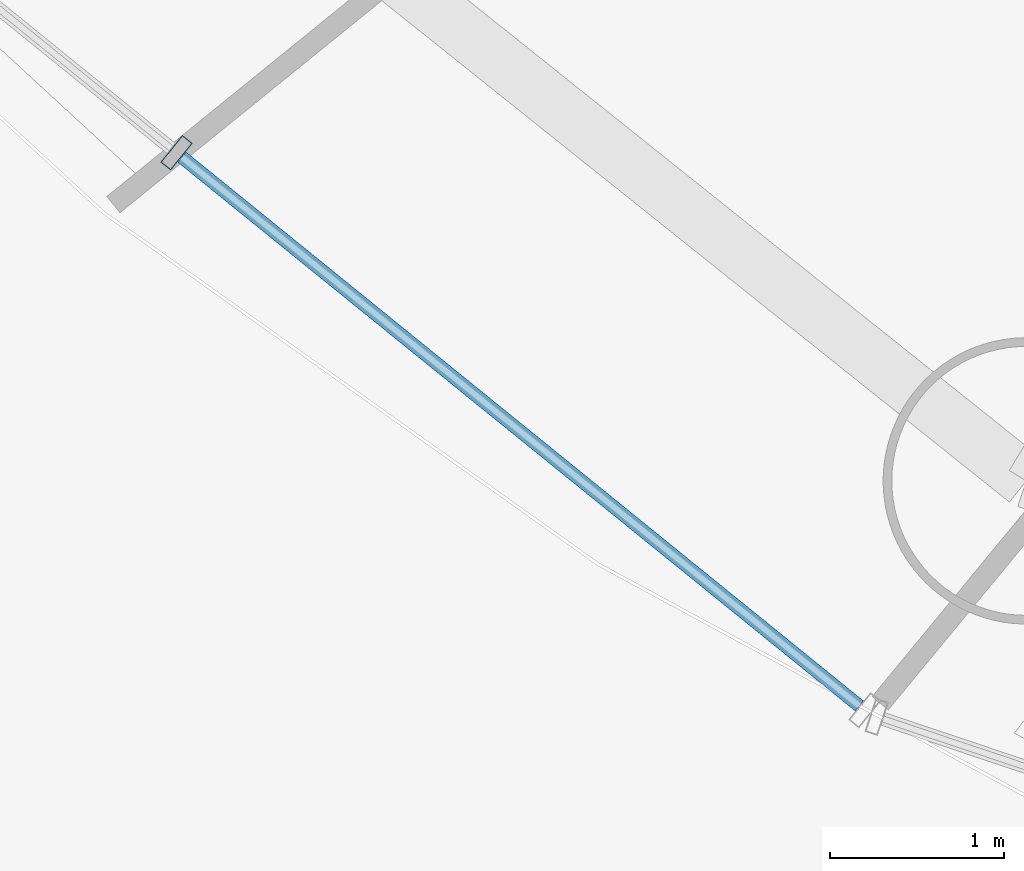
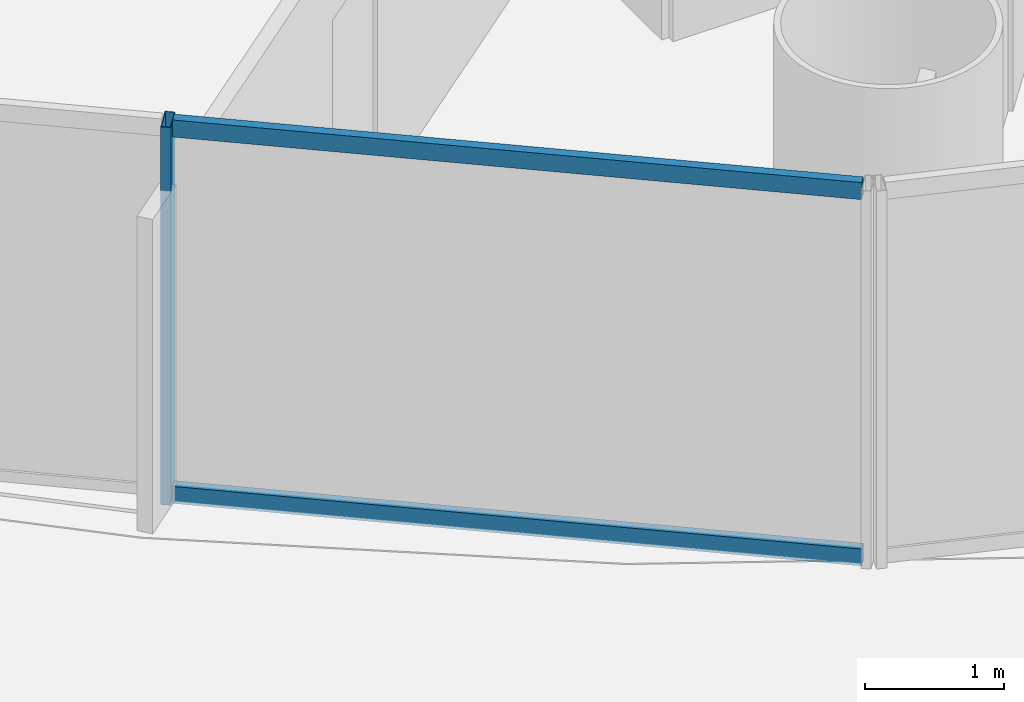
# One storey, part 2 of 37: 3 members, 1 element without a shape of its own.
"""IFC4 building model written with IfcOpenShell, lengths in metres."""

import ifcopenshell
import ifcopenshell.guid

model = None  # the IFC model being written
_history = None  # IfcOwnerHistory: only IFC2X3 demands one
_inside = {}  # id of a spatial element -> (the spatial element, [elements in it])
_under = {}  # id of a project, library or spatial element -> (it, [spatial elements below it])
_declared = {}  # id of a project -> (the project, [libraries it declares])
_typed = {}  # id of a type object -> (the type object, [elements of that type])
_made_of = {}  # id of a material, layer set ... -> (it, [elements and type objects made of it])


def new_model(schema):
    """Start an empty IFC model of exactly this schema.

    Asked for "IFC4X3", IfcOpenShell would pick the latest addendum, in which some entities
    have other attributes; the version numbers below select the first issue.
    IFC2X3 requires an IfcOwnerHistory on every rooted entity: one is made here for all.
    """
    global model, _history
    if schema == "IFC4X3":
        model = ifcopenshell.file(schema_version=(4, 3, 0, 0))
    else:
        model = ifcopenshell.file(schema=schema)
    _inside.clear()
    _under.clear()
    _declared.clear()
    _typed.clear()
    _made_of.clear()
    _history = None
    if model.schema == "IFC2X3":
        org = make("IfcOrganization", Name="unknown")
        user = make(
            "IfcPersonAndOrganization",
            ThePerson=make("IfcPerson", FamilyName="unknown"),
            TheOrganization=org,
        )
        app = make(
            "IfcApplication",
            ApplicationDeveloper=org,
            Version="unknown",
            ApplicationFullName="unknown",
            ApplicationIdentifier="unknown",
        )
        _history = make(
            "IfcOwnerHistory",
            OwningUser=user,
            OwningApplication=app,
            ChangeAction="ADDED",
            CreationDate=0,
        )
    return model


def make(cls, **values):
    """One entity of the class cls with the attributes given. An attribute that is None is left unset."""
    return model.create_entity(
        cls, **{name: value for name, value in values.items() if value is not None}
    )


def rooted(cls, **values):
    """An entity with a GlobalId (a new one), such as an element, a storey or a relation."""
    return make(cls, GlobalId=ifcopenshell.guid.new(), OwnerHistory=_history, **values)


def si_unit(unit_type, name, prefix=None):
    """IfcSIUnit, for example si_unit("LENGTHUNIT", "METRE", prefix="MILLI")."""
    return make("IfcSIUnit", UnitType=unit_type, Prefix=prefix, Name=name)


def assignment(units):
    """IfcUnitAssignment: the units of a project."""
    return None if units is None else make("IfcUnitAssignment", Units=units)


def point(xyz):
    """IfcCartesianPoint."""
    return None if xyz is None else make("IfcCartesianPoint", Coordinates=xyz)


def direction(xyz):
    """IfcDirection."""
    return None if xyz is None else make("IfcDirection", DirectionRatios=xyz)


def frame(location, z_axis=None, x_axis=None):
    """IfcAxis2Placement3D, a coordinate frame: its origin and axes. An axis left out is left unset."""
    return make(
        "IfcAxis2Placement3D",
        Location=point(location),
        Axis=direction(z_axis),
        RefDirection=direction(x_axis),
    )


def frame_2d(location, x_axis=None):
    """IfcAxis2Placement2D, a coordinate frame in the plane: its origin and x axis."""
    return make(
        "IfcAxis2Placement2D", Location=point(location), RefDirection=direction(x_axis)
    )


def origin():
    """The frame at (0, 0, 0) with its axes left unset."""
    return frame((0.0, 0.0, 0.0))


def origin_2d():
    """The frame at (0, 0) in the plane with its x axis left unset."""
    return frame_2d((0.0, 0.0))


def place(relative_to, where):
    """IfcLocalPlacement: puts the frame where relative to a parent placement (None: the world)."""
    return make(
        "IfcLocalPlacement", PlacementRelTo=relative_to, RelativePlacement=where
    )


def context(
    kind, dimensions, precision=None, world=None, true_north=None, identifier=None
):
    """IfcGeometricRepresentationContext, for example the 3D "Model" context."""
    return make(
        "IfcGeometricRepresentationContext",
        ContextIdentifier=identifier,
        ContextType=kind,
        CoordinateSpaceDimension=dimensions,
        Precision=precision,
        WorldCoordinateSystem=world,
        TrueNorth=true_north,
    )


def subcontext(parent, identifier, kind, view, scale=None):
    """IfcGeometricRepresentationSubContext, for example "Body" below "Model"."""
    return make(
        "IfcGeometricRepresentationSubContext",
        ContextIdentifier=identifier,
        ContextType=kind,
        ParentContext=parent,
        TargetScale=scale,
        TargetView=view,
    )


def project(units=None, contexts=None):
    """IfcProject with its units and contexts."""
    return rooted(
        "IfcProject",
        Name="project",
        RepresentationContexts=contexts,
        UnitsInContext=assignment(units),
    )


def spatial(cls, under=None, at=None, **own):
    """A site, building, storey or space (cls), placed at a placement, below another one or the project."""
    s = rooted(cls, ObjectPlacement=at, **own)
    if under is not None:
        _under.setdefault(under.id(), (under, []))[1].append(s)
    return s


def profile(cls, at=None, kind="AREA", **sizes):
    """A parametric profile (cls). Its sizes go by their IFC names, for example OverallWidth=200.0."""
    return make(cls, ProfileType=kind, Position=at, **sizes)


def hollow_rectangle(**sizes):
    """IfcRectangleHollowProfileDef."""
    return profile("IfcRectangleHollowProfileDef", **sizes)


def extrude(swept, where, along, depth):
    """IfcExtrudedAreaSolid: the profile swept, set in the frame where, extruded along a direction by depth."""
    return make(
        "IfcExtrudedAreaSolid",
        SweptArea=swept,
        Position=where,
        ExtrudedDirection=direction(along),
        Depth=depth,
    )


def shape(context_of_items, identifier, shape_type, items):
    """IfcShapeRepresentation: the items that make up one representation, for example the "Body"."""
    return make(
        "IfcShapeRepresentation",
        ContextOfItems=context_of_items,
        RepresentationIdentifier=identifier,
        RepresentationType=shape_type,
        Items=items,
    )


def source(mapping_origin, context_of_items, identifier, shape_type, items):
    """IfcRepresentationMap: a shape defined once, which mapped items show again and again."""
    return make(
        "IfcRepresentationMap",
        MappingOrigin=mapping_origin,
        MappedRepresentation=shape(context_of_items, identifier, shape_type, items),
    )


def transform(
    local_origin,
    x_axis=None,
    y_axis=None,
    z_axis=None,
    scale=None,
    scale2=None,
    scale3=None,
    uniform=True,
):
    """IfcCartesianTransformationOperator3D, or its non-uniform kind. x_axis, y_axis, z_axis: its Axis1, 2, 3."""
    if uniform:
        return make(
            "IfcCartesianTransformationOperator3D",
            Axis1=direction(x_axis),
            Axis2=direction(y_axis),
            LocalOrigin=point(local_origin),
            Scale=scale,
            Axis3=direction(z_axis),
        )
    return make(
        "IfcCartesianTransformationOperator3DnonUniform",
        Axis1=direction(x_axis),
        Axis2=direction(y_axis),
        LocalOrigin=point(local_origin),
        Scale=scale,
        Axis3=direction(z_axis),
        Scale2=scale2,
        Scale3=scale3,
    )


def mapped(mapping_source, mapping_target):
    """IfcMappedItem: shows the shape of a source again, moved by a transform."""
    return make(
        "IfcMappedItem", MappingSource=mapping_source, MappingTarget=mapping_target
    )


def material(Name=None, Category=None):
    """IfcMaterial."""
    return make("IfcMaterial", Name=Name, Category=Category)


def material_profile(
    of_material, cross_section, Name=None, Category=None, Priority=None
):
    """IfcMaterialProfile: a cross section and its material."""
    return make(
        "IfcMaterialProfile",
        Name=Name,
        Material=of_material,
        Profile=cross_section,
        Priority=Priority,
        Category=Category,
    )


def profile_set(profiles, Name=None, composite=None):
    """IfcMaterialProfileSet."""
    return make(
        "IfcMaterialProfileSet",
        Name=Name,
        MaterialProfiles=profiles,
        CompositeProfile=composite,
    )


def made_of(thing, what):
    """Note that an element or type object is made of a material, layer set ...; save() writes the relation."""
    if what is not None:
        _made_of.setdefault(what.id(), (what, []))[1].append(thing)
    return thing


def type_object(cls, material=None, **own):
    """A type object (cls), such as IfcWallType, which elements share."""
    return made_of(rooted(cls, **own), material)


def element(
    cls,
    number,
    at=None,
    inside=None,
    cuts=None,
    type_object=None,
    material=None,
    context=None,
    identifier="Body",
    shape_type=None,
    held_by="IfcProductDefinitionShape",
    body=None,
    shapes=None,
    **own,
):
    """One element of the class cls, such as IfcWall. Its Tag is "e" and its number.

    at: its placement. inside: the storey or other place that contains it. cuts: it is an
    opening in that element (IfcRelVoidsElement). A single representation is given by context,
    identifier, shape_type and body (its items); several are given by shapes. held_by: the class
    of the entity that holds the representations. save() writes the other relations.
    """
    e = rooted(cls, Tag="e%d" % number, ObjectPlacement=at, **own)
    if body is not None:
        shapes = [shape(context, identifier, shape_type, body)]
    if shapes is not None:
        e.Representation = make(held_by, Representations=shapes)
    if inside is not None:
        _inside.setdefault(inside.id(), (inside, []))[1].append(e)
    if cuts is not None:
        rooted(
            "IfcRelVoidsElement", RelatingBuildingElement=cuts, RelatedOpeningElement=e
        )
    if type_object is not None:
        _typed.setdefault(type_object.id(), (type_object, []))[1].append(e)
    return made_of(e, material)


def aggregate(whole, parts):
    """IfcRelAggregates: a whole, such as a stair, and the parts it consists of."""
    return rooted("IfcRelAggregates", RelatingObject=whole, RelatedObjects=parts)


def save(model, path):
    """Write the relations noted so far, then the file.

    IfcRelAggregates (storeys below a building ...), IfcRelContainedInSpatialStructure (elements
    in a storey), IfcRelDefinesByType, IfcRelAssociatesMaterial and IfcRelDeclares: one each for
    every whole, place, type object, material and project.
    """
    for whole, parts in _under.values():
        aggregate(whole, parts)
    for where, things in _inside.values():
        rooted(
            "IfcRelContainedInSpatialStructure",
            RelatedElements=things,
            RelatingStructure=where,
        )
    for kind, things in _typed.values():
        rooted("IfcRelDefinesByType", RelatedObjects=things, RelatingType=kind)
    for what, things in _made_of.values():
        rooted("IfcRelAssociatesMaterial", RelatedObjects=things, RelatingMaterial=what)
    for by, libraries in _declared.values():
        rooted("IfcRelDeclares", RelatingContext=by, RelatedDefinitions=libraries)
    model.write(path)


model = new_model("IFC4")

# Units and contexts
model_context = context("Model", 3, precision=1e-05, world=origin(), true_north=direction((-0.2419218956, 0.970295726276)))
body_context = subcontext(model_context, "Body", "Model", "MODEL_VIEW")
ifc_project = project(units=[si_unit("LENGTHUNIT", "METRE"), si_unit("AREAUNIT", "SQUARE_METRE"), si_unit("VOLUMEUNIT", "CUBIC_METRE"), si_unit("PLANEANGLEUNIT", "RADIAN"), si_unit("MASSUNIT", "GRAM", prefix="KILO")], contexts=[model_context])

# Site, building, storey
site_placement = place(None, origin())
site = spatial("IfcSite", under=ifc_project, at=site_placement, CompositionType="ELEMENT")
building_placement = place(site_placement, origin())
building = spatial("IfcBuilding", under=site, at=building_placement, Name="Cobrevalo Terracotta Tower", CompositionType="ELEMENT")
storey_placement = place(building_placement, frame((0.0, 0.0, 24.0)))
storey = spatial("IfcBuildingStorey", under=building, at=storey_placement, Name="L05", CompositionType="ELEMENT", Elevation=24.0)

# Curtain wall, members
ifc_material = material(Name="Anodized aluminium", Category="aluminium")
curtain_wall_type = type_object("IfcCurtainWallType", Name="Lower-tower unitised acoustic low-E curtain wall CW-U1", PredefinedType="NOTDEFINED", material=ifc_material)
curtain_wall_placement = place(storey_placement, origin())
curtain_wall = element("IfcCurtainWall", 1, at=curtain_wall_placement, inside=storey, type_object=curtain_wall_type, Name="L05 curtain wall CW-L05-S10", PredefinedType="NOTDEFINED")
ifc_material_profile_1 = material_profile(ifc_material, hollow_rectangle(XDim=0.074951171875, YDim=0.199951171875, WallThickness=0.0048828125, at=origin_2d()), Name="CWM 75x200")
ifc_profile_set_1 = profile_set([ifc_material_profile_1], Name="Anodized aluminium")
member_type_1 = type_object("IfcMemberType", Name="Lower/mid tower unitised mullion 75x200", PredefinedType="MULLION", material=ifc_profile_set_1)
shared_shape_1 = source(origin(), body_context, "Body", "SweptSolid", [
    extrude(hollow_rectangle(XDim=0.074951171875, YDim=0.199951171875, WallThickness=0.0048828125, at=origin_2d()), origin(), (0.0, 0.0, 1.0), 3.320068359375),
])
member_1_placement = place(storey_placement, frame((17.90869140625, 10.523193359375, 0.0), z_axis=(0.0, 0.0, 1.0), x_axis=(0.777003153187, -0.629496703675, 0.0)))
member_1 = element("IfcMember", 2, at=member_1_placement, type_object=member_type_1, Name="CW-L05-S10 vertical mullion 02", PredefinedType="MULLION", context=body_context, shape_type="MappedRepresentation", body=[
    mapped(shared_shape_1, transform((0.0, 0.0, 0.0), scale=1.0)),
])
ifc_material_profile_2 = material_profile(ifc_material, hollow_rectangle(XDim=0.074951171875, YDim=0.14990234375, WallThickness=0.00439453125, at=origin_2d()), Name="CWT 75x150")
ifc_profile_set_2 = profile_set([ifc_material_profile_2], Name="Anodized aluminium")
member_type_2 = type_object("IfcMemberType", Name="Tower unitised aluminium transom 75x150", PredefinedType="USERDEFINED", material=ifc_profile_set_2)
shared_shape_2 = source(origin(), body_context, "Body", "SweptSolid", [
    extrude(hollow_rectangle(XDim=0.074951171875, YDim=0.14990234375, WallThickness=0.00439453125, at=origin_2d()), origin(), (0.0, 0.0, 1.0), 5.0234375),
])
member_2_placement = place(storey_placement, frame((17.939697265625, 10.497802734375, 0.050048828125), z_axis=(0.777022991593, -0.629472215857, 0.0), x_axis=(0.629472215857, 0.777022991593, 0.0)))
member_2 = element("IfcMember", 3, at=member_2_placement, type_object=member_type_2, Name="CW-L05-S10 transom B02-T1", ObjectType="TRANSOM", PredefinedType="USERDEFINED", context=body_context, shape_type="MappedRepresentation", body=[
    mapped(shared_shape_2, transform((0.0, 0.0, 0.0), scale=1.0)),
])
member_3_placement = place(storey_placement, frame((17.939697265625, 10.497802734375, 3.27001953125), z_axis=(0.777022991593, -0.629472215857, 0.0), x_axis=(0.629472215857, 0.777022991593, 0.0)))
member_3 = element("IfcMember", 4, at=member_3_placement, type_object=member_type_2, Name="CW-L05-S10 transom B02-T2", ObjectType="TRANSOM", PredefinedType="USERDEFINED", context=body_context, shape_type="MappedRepresentation", body=[
    mapped(shared_shape_2, transform((0.0, 0.0, 0.0), scale=1.0)),
])
aggregate(curtain_wall, [member_1, member_2, member_3])

save(model, "model.ifc")
